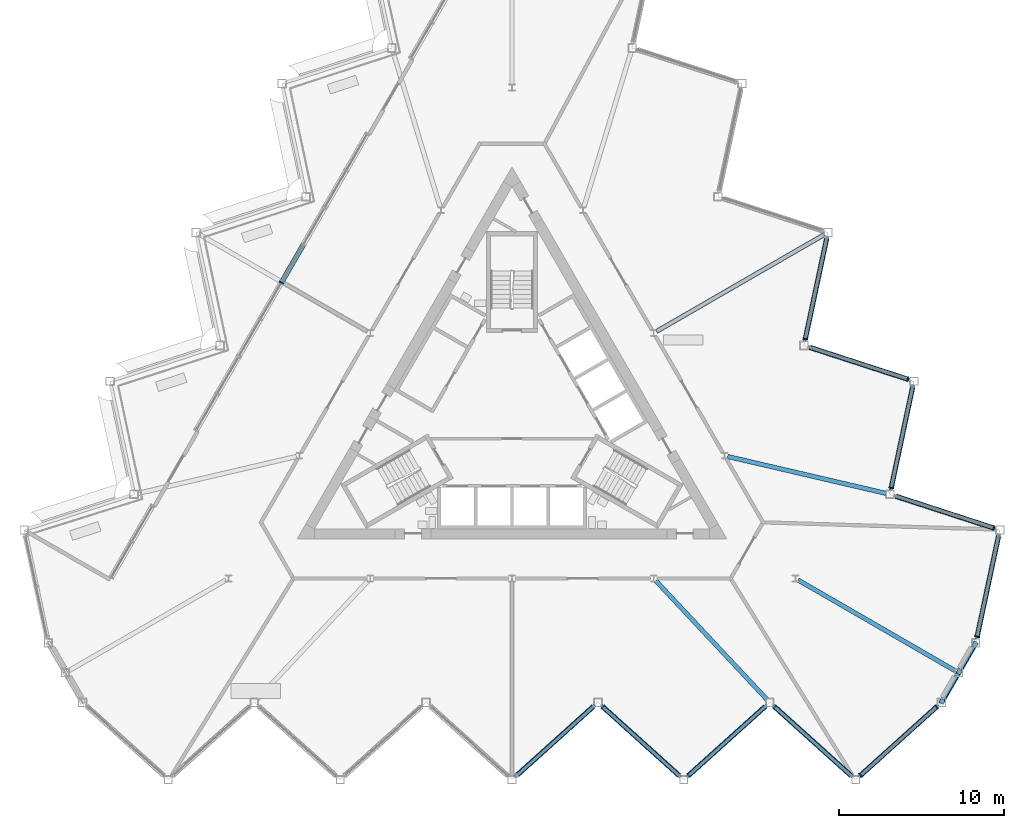
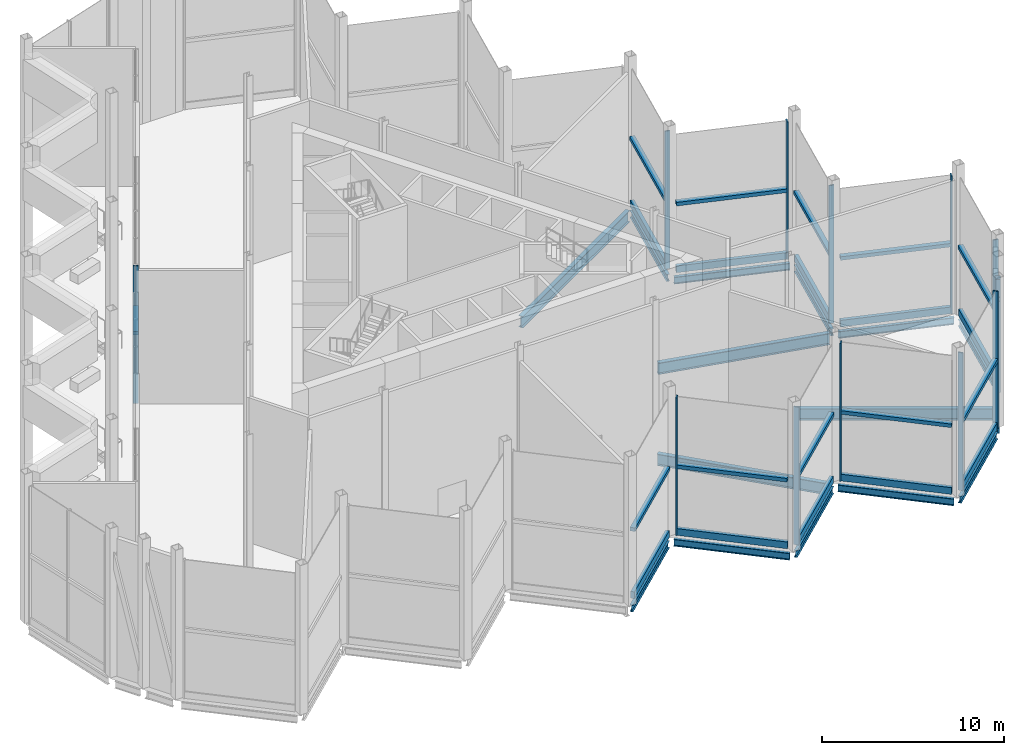
# One storey, part 5 of 18: 34 members, 16 beams, 4 elements without a shape of their own.
"""IFC4 building model written with IfcOpenShell, lengths in metres."""

from ifc_helpers import new_model, si_unit, direction, frame, origin, origin_2d, place, context, subcontext, project, spatial, rectangle, hollow_rectangle, i_section, extrude, material, layer, layer_set, material_profile, profile_set, type_object, element, aggregate, save


model = new_model("IFC4")

# Units and contexts
model_context = context("Model", 3, precision=1e-05, world=origin(), true_north=direction((0.0, 1.0)))
body_context = subcontext(model_context, "Body", "Model", "MODEL_VIEW")
ifc_project = project(units=[si_unit("LENGTHUNIT", "METRE"), si_unit("AREAUNIT", "SQUARE_METRE"), si_unit("VOLUMEUNIT", "CUBIC_METRE"), si_unit("PLANEANGLEUNIT", "RADIAN"), si_unit("MASSUNIT", "GRAM", prefix="KILO")], contexts=[model_context])

# Site, building, storey
site_placement = place(None, origin())
site = spatial("IfcSite", under=ifc_project, at=site_placement, CompositionType="ELEMENT")
building_placement = place(site_placement, origin())
building = spatial("IfcBuilding", under=site, at=building_placement, Name="Cormorant Prow Tower", CompositionType="ELEMENT")
storey_placement = place(building_placement, frame((0.0, 0.0, 405.199951171875)))
storey = spatial("IfcBuildingStorey", under=building, at=storey_placement, Name="L93", CompositionType="ELEMENT", Elevation=405.199951171875)

# Members
ifc_material_1 = material(Name="Structural steel ASTM A500 Gr C", Category="steel")
ifc_material_profile_1 = material_profile(ifc_material_1, hollow_rectangle(XDim=0.3046875, YDim=0.3046875, WallThickness=0.01171875, at=origin_2d()), Name="HSS12x12x1/2")
ifc_profile_set_1 = profile_set([ifc_material_profile_1], Name="Structural steel ASTM A500 Gr C")
member_type_1 = type_object("IfcMemberType", Name="Chamfer brace HSS12x12x1/2", PredefinedType="BRACE", material=ifc_profile_set_1)
for number, where, z_axis, x_axis, name in (
    (1, (26.99951171875, -15.6748046875, 0.890625), (-0.124969946675, -0.21644541018, 0.968263340647), (0.866016514357, -0.500015396624, 0.0), "Chamfer brace BR3 at ESE00 L93"),
    (2, (28.036376953125, -13.878662109375, 0.890625), (-0.124969088668, -0.216475642173, 0.968256692837), (0.866048237946, -0.499960447986, 0.0), "Chamfer brace BR3 at ESE01 L93"),
):
    element("IfcMember", number, at=place(storey_placement, frame(where, z_axis=z_axis, x_axis=x_axis)), inside=storey, type_object=member_type_1, Name=name, PredefinedType="BRACE", context=body_context, shape_type="SweptSolid", body=[
        extrude(hollow_rectangle(XDim=0.3046875, YDim=0.3046875, WallThickness=0.01171875, at=origin_2d()), origin(), (0.0, 0.0, 1.0), 7.697265625),
    ])

# Beams
ifc_material_2 = material(Name="Structural steel ASTM A992 Gr 50", Category="steel")
ifc_material_profile_2 = material_profile(ifc_material_2, i_section(OverallWidth=0.267822265625, OverallDepth=0.77001953125, WebThickness=0.015625, FlangeThickness=0.025390625, at=origin_2d()), Name="W30x132")
ifc_profile_set_2 = profile_set([ifc_material_profile_2], Name="Structural steel ASTM A992 Gr 50")
beam_type_1 = type_object("IfcBeamType", Name="Radial floor beam W30x132", PredefinedType="BEAM", material=ifc_profile_set_2)
beam_1_placement = place(storey_placement, frame((8.706298828125, -10.0419921875, -0.684814453125), z_axis=(0.683430760659, -0.730015339144, 0.0), x_axis=(0.730015339144, 0.683430760659, 0.0)))
element("IfcBeam", 3, at=beam_1_placement, inside=storey, type_object=beam_type_1, Name="Radial floor beam FB3 8 L93", PredefinedType="BEAM", context=body_context, shape_type="SweptSolid", body=[
    extrude(i_section(OverallWidth=0.267822265625, OverallDepth=0.77001953125, WebThickness=0.015625, FlangeThickness=0.025390625, at=origin_2d()), origin(), (0.0, 0.0, 1.0), 9.8369140625),
])
beam_2_placement = place(storey_placement, frame((17.31884765625, -9.9990234375, -0.684814453125), z_axis=(0.866018830095, -0.500011385791, 0.0), x_axis=(0.500011385791, 0.866018830095, 0.0)))
element("IfcBeam", 4, at=beam_2_placement, inside=storey, type_object=beam_type_1, Name="Radial floor beam FB3 9 L93", PredefinedType="BEAM", context=body_context, shape_type="SweptSolid", body=[
    extrude(i_section(OverallWidth=0.267822265625, OverallDepth=0.77001953125, WebThickness=0.015625, FlangeThickness=0.025390625, at=origin_2d()), origin(), (0.0, 0.0, 1.0), 10.971435546875),
])
beam_3_placement = place(storey_placement, frame((13.0498046875, -2.518798828125, -0.684814453125), z_axis=(0.973926084128, -0.226865560752, 0.0), x_axis=(0.226865560752, 0.973926084128, 0.0)))
element("IfcBeam", 5, at=beam_3_placement, inside=storey, type_object=beam_type_1, Name="Radial floor beam FB3 10 L93", PredefinedType="BEAM", context=body_context, shape_type="SweptSolid", body=[
    extrude(i_section(OverallWidth=0.267822265625, OverallDepth=0.77001953125, WebThickness=0.015625, FlangeThickness=0.025390625, at=origin_2d()), origin(), (0.0, 0.0, 1.0), 9.837158203125),
])
beam_4_placement = place(storey_placement, frame((8.740478515625, 5.04638671875, -0.684814453125), z_axis=(0.866026702285, 0.499997750924, 0.0), x_axis=(-0.499997750924, 0.866026702285, 0.0)))
element("IfcBeam", 6, at=beam_4_placement, inside=storey, type_object=beam_type_1, Name="Radial floor beam FB3 11 L93", PredefinedType="BEAM", context=body_context, shape_type="SweptSolid", body=[
    extrude(i_section(OverallWidth=0.267822265625, OverallDepth=0.77001953125, WebThickness=0.015625, FlangeThickness=0.025390625, at=origin_2d()), origin(), (0.0, 0.0, 1.0), 11.7451171875),
])

# Curtain wall, members
ifc_material_3 = material(Name="Aluminium 6063-T6", Category="aluminium")
ifc_layer = layer(ifc_material_3, 0.300048828125)
ifc_layer_set = layer_set([ifc_layer], Name="Aluminium 6063-T6")
curtain_wall_type = type_object("IfcCurtainWallType", Name="Sky lobby unitised curtain wall 300", PredefinedType="NOTDEFINED", material=ifc_layer_set)
curtain_wall_1_placement = place(storey_placement, origin())
curtain_wall_1 = element("IfcCurtainWall", 7, at=curtain_wall_1_placement, inside=storey, type_object=curtain_wall_type, Name="Sky lobby curtain wall S00-S09", PredefinedType="NOTDEFINED")
ifc_material_4 = material(Name="Aluminium 6063-T6", Category="aluminium")
ifc_material_profile_3 = material_profile(ifc_material_4, rectangle(XDim=0.300048828125, YDim=0.239990234375, at=origin_2d()), Name="Sky lobby intermediate transom 300x240")
ifc_profile_set_3 = profile_set([ifc_material_profile_3], Name="Aluminium 6063-T6")
member_type_2 = type_object("IfcMemberType", Name="Sky lobby intermediate transom 300x240", PredefinedType="USERDEFINED", material=ifc_profile_set_3)
member_1_placement = place(storey_placement, frame((0.33154296875, -21.789306640625, 4.616943359375), z_axis=(0.743142998934, 0.669132634935, 0.0), x_axis=(-0.669132634935, 0.743142998934, 0.0)))
member_1 = element("IfcMember", 8, at=member_1_placement, type_object=member_type_2, Name="Sky lobby intermediate transom S00-S09", ObjectType="TRANSOM", PredefinedType="USERDEFINED", context=body_context, shape_type="SweptSolid", body=[
    extrude(rectangle(XDim=0.300048828125, YDim=0.239990234375, at=origin_2d()), origin(), (0.0, 0.0, 1.0), 6.18505859375),
])
member_2_placement = place(storey_placement, frame((5.531494140625, -17.7041015625, 4.616943359375), z_axis=(0.743123371141, -0.669154433046, 0.0), x_axis=(0.669154433046, 0.743123371141, 0.0)))
member_2 = element("IfcMember", 9, at=member_2_placement, type_object=member_type_2, Name="Sky lobby intermediate transom S00-S09", ObjectType="TRANSOM", PredefinedType="USERDEFINED", context=body_context, shape_type="SweptSolid", body=[
    extrude(rectangle(XDim=0.300048828125, YDim=0.239990234375, at=origin_2d()), origin(), (0.0, 0.0, 1.0), 6.185302734375),
])
member_3_placement = place(storey_placement, frame((10.7314453125, -21.789306640625, 4.616943359375), z_axis=(0.743160671377, 0.669113007286, 0.0), x_axis=(-0.669113007286, 0.743160671377, 0.0)))
member_3 = element("IfcMember", 10, at=member_3_placement, type_object=member_type_2, Name="Sky lobby intermediate transom S00-S09", ObjectType="TRANSOM", PredefinedType="USERDEFINED", context=body_context, shape_type="SweptSolid", body=[
    extrude(rectangle(XDim=0.300048828125, YDim=0.239990234375, at=origin_2d()), origin(), (0.0, 0.0, 1.0), 6.185302734375),
])
member_4_placement = place(storey_placement, frame((15.931396484375, -17.7041015625, 4.616943359375), z_axis=(0.743141044268, -0.669134805793, 0.0), x_axis=(0.669134805793, 0.743141044268, 0.0)))
member_4 = element("IfcMember", 11, at=member_4_placement, type_object=member_type_2, Name="Sky lobby intermediate transom S00-S09", ObjectType="TRANSOM", PredefinedType="USERDEFINED", context=body_context, shape_type="SweptSolid", body=[
    extrude(rectangle(XDim=0.300048828125, YDim=0.239990234375, at=origin_2d()), origin(), (0.0, 0.0, 1.0), 6.185546875),
])
member_5_placement = place(storey_placement, frame((21.13134765625, -21.789306640625, 4.616943359375), z_axis=(0.743146988122, 0.66912820449, 0.0), x_axis=(-0.66912820449, 0.743146988122, 0.0)))
member_5 = element("IfcMember", 12, at=member_5_placement, type_object=member_type_2, Name="Sky lobby intermediate transom S00-S09", ObjectType="TRANSOM", PredefinedType="USERDEFINED", context=body_context, shape_type="SweptSolid", body=[
    extrude(rectangle(XDim=0.300048828125, YDim=0.239990234375, at=origin_2d()), origin(), (0.0, 0.0, 1.0), 6.105224609375),
])

curtain_wall_2_placement = place(storey_placement, origin())
curtain_wall_2 = element("IfcCurtainWall", 13, at=curtain_wall_2_placement, inside=storey, type_object=curtain_wall_type, Name="Sky lobby curtain wall ENE00-ENE09", PredefinedType="NOTDEFINED")
member_6_placement = place(storey_placement, frame((28.16650390625, -13.37744140625, 4.616943359375), z_axis=(0.207935703595, 0.978142496352, 0.0), x_axis=(-0.978142496352, 0.207935703595, 0.0)))
member_6 = element("IfcMember", 14, at=member_6_placement, type_object=member_type_2, Name="Sky lobby intermediate transom ENE00-ENE09", ObjectType="TRANSOM", PredefinedType="USERDEFINED", context=body_context, shape_type="SweptSolid", body=[
    extrude(rectangle(XDim=0.300048828125, YDim=0.239990234375, at=origin_2d()), origin(), (0.0, 0.0, 1.0), 6.185302734375),
])
member_7_placement = place(storey_placement, frame((29.1044921875, -6.83154296875, 4.616943359375), z_axis=(-0.951055821214, 0.309019133608, 0.0), x_axis=(-0.309019133608, -0.951055821214, 0.0)))
member_7 = element("IfcMember", 15, at=member_7_placement, type_object=member_type_2, Name="Sky lobby intermediate transom ENE00-ENE09", ObjectType="TRANSOM", PredefinedType="USERDEFINED", context=body_context, shape_type="SweptSolid", body=[
    extrude(rectangle(XDim=0.300048828125, YDim=0.239990234375, at=origin_2d()), origin(), (0.0, 0.0, 1.0), 6.185302734375),
])
member_8_placement = place(storey_placement, frame((22.966552734375, -4.370849609375, 4.616943359375), z_axis=(0.207897938298, 0.978150523821, 0.0), x_axis=(-0.978150523821, 0.207897938298, 0.0)))
member_8 = element("IfcMember", 16, at=member_8_placement, type_object=member_type_2, Name="Sky lobby intermediate transom ENE00-ENE09", ObjectType="TRANSOM", PredefinedType="USERDEFINED", context=body_context, shape_type="SweptSolid", body=[
    extrude(rectangle(XDim=0.300048828125, YDim=0.239990234375, at=origin_2d()), origin(), (0.0, 0.0, 1.0), 6.185302734375),
])
member_9_placement = place(storey_placement, frame((23.904541015625, 2.175048828125, 4.616943359375), z_axis=(-0.951055821214, 0.309019133608, 0.0), x_axis=(-0.309019133608, -0.951055821214, 0.0)))
member_9 = element("IfcMember", 17, at=member_9_placement, type_object=member_type_2, Name="Sky lobby intermediate transom ENE00-ENE09", ObjectType="TRANSOM", PredefinedType="USERDEFINED", context=body_context, shape_type="SweptSolid", body=[
    extrude(rectangle(XDim=0.300048828125, YDim=0.239990234375, at=origin_2d()), origin(), (0.0, 0.0, 1.0), 6.185302734375),
])
member_10_placement = place(storey_placement, frame((17.7666015625, 4.6357421875, 4.616943359375), z_axis=(0.207897938298, 0.978150523821, 0.0), x_axis=(-0.978150523821, 0.207897938298, 0.0)))
member_10 = element("IfcMember", 18, at=member_10_placement, type_object=member_type_2, Name="Sky lobby intermediate transom ENE00-ENE09", ObjectType="TRANSOM", PredefinedType="USERDEFINED", context=body_context, shape_type="SweptSolid", body=[
    extrude(rectangle(XDim=0.300048828125, YDim=0.239990234375, at=origin_2d()), origin(), (0.0, 0.0, 1.0), 6.185302734375),
])

# Curtain wall, member
curtain_wall_3_placement = place(storey_placement, origin())
curtain_wall_3 = element("IfcCurtainWall", 19, at=curtain_wall_3_placement, inside=storey, type_object=curtain_wall_type, Name="Sky lobby curtain wall loggia WNW04", PredefinedType="NOTDEFINED")
member_11_placement = place(storey_placement, frame((-12.652587890625, 10.260986328125, 4.616943359375), z_axis=(-0.50000366821, -0.866023285932, 0.0), x_axis=(0.866023285932, -0.50000366821, 0.0)))
member_11 = element("IfcMember", 20, at=member_11_placement, type_object=member_type_2, Name="Sky lobby intermediate transom loggia WNW04", ObjectType="TRANSOM", PredefinedType="USERDEFINED", context=body_context, shape_type="SweptSolid", body=[
    extrude(rectangle(XDim=0.300048828125, YDim=0.239990234375, at=origin_2d()), origin(), (0.0, 0.0, 1.0), 2.47998046875),
])
aggregate(curtain_wall_3, [member_11])

# Member
ifc_material_5 = material(Name="Aluminium 6063-T6", Category="aluminium")
ifc_material_profile_4 = material_profile(ifc_material_5, rectangle(XDim=0.300048828125, YDim=0.080078125, at=origin_2d()), Name="Sky lobby mullion 80x300")
ifc_profile_set_4 = profile_set([ifc_material_profile_4], Name="Aluminium 6063-T6")
member_type_3 = type_object("IfcMemberType", Name="Sky lobby mullion 80x300", PredefinedType="MULLION", material=ifc_profile_set_4)
member_12_placement = place(storey_placement, frame((5.501708984375, -17.677490234375, 0.0), z_axis=(0.0, 0.0, 1.0), x_axis=(0.669130603959, 0.743144827638, 0.0)))
member_12 = element("IfcMember", 21, at=member_12_placement, type_object=member_type_3, Name="Sky lobby mullion S00-S09", PredefinedType="MULLION", context=body_context, shape_type="SweptSolid", body=[
    extrude(rectangle(XDim=0.300048828125, YDim=0.080078125, at=origin_2d()), origin(), (0.0, 0.0, 1.0), 9.23388671875),
])

member_13_placement = place(storey_placement, frame((10.70166015625, -21.816162109375, 0.0), z_axis=(0.0, 0.0, 1.0), x_axis=(-0.669130603959, 0.743144827638, 0.0)))
member_13 = element("IfcMember", 22, at=member_13_placement, type_object=member_type_3, Name="Sky lobby mullion S00-S09", PredefinedType="MULLION", context=body_context, shape_type="SweptSolid", body=[
    extrude(rectangle(XDim=0.300048828125, YDim=0.080078125, at=origin_2d()), origin(), (0.0, 0.0, 1.0), 9.23388671875),
])

member_14_placement = place(storey_placement, frame((15.901611328125, -17.677490234375, 0.0), z_axis=(0.0, 0.0, 1.0), x_axis=(0.669130603959, 0.743144827638, 0.0)))
member_14 = element("IfcMember", 23, at=member_14_placement, type_object=member_type_3, Name="Sky lobby mullion S00-S09", PredefinedType="MULLION", context=body_context, shape_type="SweptSolid", body=[
    extrude(rectangle(XDim=0.300048828125, YDim=0.080078125, at=origin_2d()), origin(), (0.0, 0.0, 1.0), 9.23388671875),
])

member_15_placement = place(storey_placement, frame((21.101806640625, -21.816162109375, 0.0), z_axis=(0.0, 0.0, 1.0), x_axis=(-0.669130603959, 0.743144827638, 0.0)))
member_15 = element("IfcMember", 24, at=member_15_placement, type_object=member_type_3, Name="Sky lobby mullion S00-S09", PredefinedType="MULLION", context=body_context, shape_type="SweptSolid", body=[
    extrude(rectangle(XDim=0.300048828125, YDim=0.080078125, at=origin_2d()), origin(), (0.0, 0.0, 1.0), 9.23388671875),
])

member_16_placement = place(storey_placement, frame((25.6982421875, -17.677490234375, 0.0), z_axis=(0.0, 0.0, 1.0), x_axis=(-0.669130603959, 0.743144827638, 0.0)))
member_16 = element("IfcMember", 25, at=member_16_placement, type_object=member_type_3, Name="Sky lobby mullion S00-S09", PredefinedType="MULLION", context=body_context, shape_type="SweptSolid", body=[
    extrude(rectangle(XDim=0.300048828125, YDim=0.080078125, at=origin_2d()), origin(), (0.0, 0.0, 1.0), 9.23388671875),
])

member_17_placement = place(storey_placement, frame((28.158203125, -13.416748046875, 0.0), z_axis=(0.0, 0.0, 1.0), x_axis=(-0.978147615768, 0.207911620089, 0.0)))
member_17 = element("IfcMember", 26, at=member_17_placement, type_object=member_type_3, Name="Sky lobby mullion ENE00-ENE09", PredefinedType="MULLION", context=body_context, shape_type="SweptSolid", body=[
    extrude(rectangle(XDim=0.300048828125, YDim=0.080078125, at=origin_2d()), origin(), (0.0, 0.0, 1.0), 9.23388671875),
])

member_18_placement = place(storey_placement, frame((29.142578125, -6.843994140625, 0.0), z_axis=(0.0, 0.0, 1.0), x_axis=(-0.309016937108, -0.951056534902, 0.0)))
member_18 = element("IfcMember", 27, at=member_18_placement, type_object=member_type_3, Name="Sky lobby mullion ENE00-ENE09", PredefinedType="MULLION", context=body_context, shape_type="SweptSolid", body=[
    extrude(rectangle(XDim=0.300048828125, YDim=0.080078125, at=origin_2d()), origin(), (0.0, 0.0, 1.0), 9.23388671875),
])

member_19_placement = place(storey_placement, frame((22.958251953125, -4.409912109375, 0.0), z_axis=(0.0, 0.0, 1.0), x_axis=(-0.978147615768, 0.207911620089, 0.0)))
member_19 = element("IfcMember", 28, at=member_19_placement, type_object=member_type_3, Name="Sky lobby mullion ENE00-ENE09", PredefinedType="MULLION", context=body_context, shape_type="SweptSolid", body=[
    extrude(rectangle(XDim=0.300048828125, YDim=0.080078125, at=origin_2d()), origin(), (0.0, 0.0, 1.0), 9.23388671875),
])

member_20_placement = place(storey_placement, frame((23.9423828125, 2.16259765625, 0.0), z_axis=(0.0, 0.0, 1.0), x_axis=(-0.309017066365, -0.951056492904, 0.0)))
member_20 = element("IfcMember", 29, at=member_20_placement, type_object=member_type_3, Name="Sky lobby mullion ENE00-ENE09", PredefinedType="MULLION", context=body_context, shape_type="SweptSolid", body=[
    extrude(rectangle(XDim=0.300048828125, YDim=0.080078125, at=origin_2d()), origin(), (0.0, 0.0, 1.0), 9.23388671875),
])

member_21_placement = place(storey_placement, frame((17.75830078125, 4.5966796875, 0.0), z_axis=(0.0, 0.0, 1.0), x_axis=(-0.978147609588, 0.207911649162, 0.0)))
member_21 = element("IfcMember", 30, at=member_21_placement, type_object=member_type_3, Name="Sky lobby mullion ENE00-ENE09", PredefinedType="MULLION", context=body_context, shape_type="SweptSolid", body=[
    extrude(rectangle(XDim=0.300048828125, YDim=0.080078125, at=origin_2d()), origin(), (0.0, 0.0, 1.0), 9.23388671875),
])

# Curtain wall, member
curtain_wall_4_placement = place(storey_placement, origin())
curtain_wall_4 = element("IfcCurtainWall", 31, at=curtain_wall_4_placement, inside=storey, type_object=curtain_wall_type, Name="Sky lobby curtain wall loggia WNW05", PredefinedType="NOTDEFINED")
member_22_placement = place(storey_placement, frame((-13.952392578125, 8.00927734375, 0.0), z_axis=(0.0, 0.0, 1.0), x_axis=(0.86602540861, -0.499999991641, 0.0)))
member_22 = element("IfcMember", 32, at=member_22_placement, type_object=member_type_3, Name="Sky lobby mullion loggia WNW05", PredefinedType="MULLION", context=body_context, shape_type="SweptSolid", body=[
    extrude(rectangle(XDim=0.300048828125, YDim=0.080078125, at=origin_2d()), origin(), (0.0, 0.0, 1.0), 9.23388671875),
])
aggregate(curtain_wall_4, [member_22])

# Member
ifc_material_6 = material(Name="Terracotta", Category="masonry")
ifc_material_profile_5 = material_profile(ifc_material_6, rectangle(XDim=0.219970703125, YDim=0.449951171875, at=origin_2d()), Name="Sky lobby terracotta spandrel rail 220x450")
ifc_profile_set_5 = profile_set([ifc_material_profile_5], Name="Terracotta")
member_type_4 = type_object("IfcMemberType", Name="Sky lobby terracotta spandrel rail 220x450", PredefinedType="USERDEFINED", material=ifc_profile_set_5)
member_23_placement = place(storey_placement, frame((0.33154296875, -21.789306640625, 0.22509765625), z_axis=(0.743142998934, 0.669132634935, 0.0), x_axis=(-0.669132634935, 0.743142998934, 0.0)))
member_23 = element("IfcMember", 33, at=member_23_placement, type_object=member_type_4, Name="Sky lobby spandrel rail S00-S09", ObjectType="TRANSOM", PredefinedType="USERDEFINED", context=body_context, shape_type="SweptSolid", body=[
    extrude(rectangle(XDim=0.219970703125, YDim=0.449951171875, at=origin_2d()), origin(), (0.0, 0.0, 1.0), 6.18505859375),
])

member_24_placement = place(storey_placement, frame((5.531494140625, -17.7041015625, 0.22509765625), z_axis=(0.743123371141, -0.669154433046, 0.0), x_axis=(0.669154433046, 0.743123371141, 0.0)))
member_24 = element("IfcMember", 34, at=member_24_placement, type_object=member_type_4, Name="Sky lobby spandrel rail S00-S09", ObjectType="TRANSOM", PredefinedType="USERDEFINED", context=body_context, shape_type="SweptSolid", body=[
    extrude(rectangle(XDim=0.219970703125, YDim=0.449951171875, at=origin_2d()), origin(), (0.0, 0.0, 1.0), 6.185302734375),
])

member_25_placement = place(storey_placement, frame((10.7314453125, -21.789306640625, 0.22509765625), z_axis=(0.743160671377, 0.669113007286, 0.0), x_axis=(-0.669113007286, 0.743160671377, 0.0)))
member_25 = element("IfcMember", 35, at=member_25_placement, type_object=member_type_4, Name="Sky lobby spandrel rail S00-S09", ObjectType="TRANSOM", PredefinedType="USERDEFINED", context=body_context, shape_type="SweptSolid", body=[
    extrude(rectangle(XDim=0.219970703125, YDim=0.449951171875, at=origin_2d()), origin(), (0.0, 0.0, 1.0), 6.185302734375),
])

member_26_placement = place(storey_placement, frame((15.931396484375, -17.7041015625, 0.22509765625), z_axis=(0.743141044268, -0.669134805793, 0.0), x_axis=(0.669134805793, 0.743141044268, 0.0)))
member_26 = element("IfcMember", 36, at=member_26_placement, type_object=member_type_4, Name="Sky lobby spandrel rail S00-S09", ObjectType="TRANSOM", PredefinedType="USERDEFINED", context=body_context, shape_type="SweptSolid", body=[
    extrude(rectangle(XDim=0.219970703125, YDim=0.449951171875, at=origin_2d()), origin(), (0.0, 0.0, 1.0), 6.185546875),
])

member_27_placement = place(storey_placement, frame((21.13134765625, -21.789306640625, 0.22509765625), z_axis=(0.743146988122, 0.66912820449, 0.0), x_axis=(-0.66912820449, 0.743146988122, 0.0)))
member_27 = element("IfcMember", 37, at=member_27_placement, type_object=member_type_4, Name="Sky lobby spandrel rail S00-S09", ObjectType="TRANSOM", PredefinedType="USERDEFINED", context=body_context, shape_type="SweptSolid", body=[
    extrude(rectangle(XDim=0.219970703125, YDim=0.449951171875, at=origin_2d()), origin(), (0.0, 0.0, 1.0), 6.105224609375),
])

aggregate(curtain_wall_1, [member_23, member_1, member_12, member_24, member_2, member_13, member_25, member_3, member_14, member_26, member_4, member_15, member_16, member_27, member_5])

member_28_placement = place(storey_placement, frame((28.16650390625, -13.37744140625, 0.22509765625), z_axis=(0.207935703595, 0.978142496352, 0.0), x_axis=(-0.978142496352, 0.207935703595, 0.0)))
member_28 = element("IfcMember", 38, at=member_28_placement, type_object=member_type_4, Name="Sky lobby spandrel rail ENE00-ENE09", ObjectType="TRANSOM", PredefinedType="USERDEFINED", context=body_context, shape_type="SweptSolid", body=[
    extrude(rectangle(XDim=0.219970703125, YDim=0.449951171875, at=origin_2d()), origin(), (0.0, 0.0, 1.0), 6.185302734375),
])

member_29_placement = place(storey_placement, frame((29.1044921875, -6.83154296875, 0.22509765625), z_axis=(-0.951055821214, 0.309019133608, 0.0), x_axis=(-0.309019133608, -0.951055821214, 0.0)))
member_29 = element("IfcMember", 39, at=member_29_placement, type_object=member_type_4, Name="Sky lobby spandrel rail ENE00-ENE09", ObjectType="TRANSOM", PredefinedType="USERDEFINED", context=body_context, shape_type="SweptSolid", body=[
    extrude(rectangle(XDim=0.219970703125, YDim=0.449951171875, at=origin_2d()), origin(), (0.0, 0.0, 1.0), 6.185302734375),
])

member_30_placement = place(storey_placement, frame((22.966552734375, -4.370849609375, 0.22509765625), z_axis=(0.207897938298, 0.978150523821, 0.0), x_axis=(-0.978150523821, 0.207897938298, 0.0)))
member_30 = element("IfcMember", 40, at=member_30_placement, type_object=member_type_4, Name="Sky lobby spandrel rail ENE00-ENE09", ObjectType="TRANSOM", PredefinedType="USERDEFINED", context=body_context, shape_type="SweptSolid", body=[
    extrude(rectangle(XDim=0.219970703125, YDim=0.449951171875, at=origin_2d()), origin(), (0.0, 0.0, 1.0), 6.185302734375),
])

member_31_placement = place(storey_placement, frame((23.904541015625, 2.175048828125, 0.22509765625), z_axis=(-0.951055821214, 0.309019133608, 0.0), x_axis=(-0.309019133608, -0.951055821214, 0.0)))
member_31 = element("IfcMember", 41, at=member_31_placement, type_object=member_type_4, Name="Sky lobby spandrel rail ENE00-ENE09", ObjectType="TRANSOM", PredefinedType="USERDEFINED", context=body_context, shape_type="SweptSolid", body=[
    extrude(rectangle(XDim=0.219970703125, YDim=0.449951171875, at=origin_2d()), origin(), (0.0, 0.0, 1.0), 6.185302734375),
])

member_32_placement = place(storey_placement, frame((17.7666015625, 4.6357421875, 0.22509765625), z_axis=(0.207897938298, 0.978150523821, 0.0), x_axis=(-0.978150523821, 0.207897938298, 0.0)))
member_32 = element("IfcMember", 42, at=member_32_placement, type_object=member_type_4, Name="Sky lobby spandrel rail ENE00-ENE09", ObjectType="TRANSOM", PredefinedType="USERDEFINED", context=body_context, shape_type="SweptSolid", body=[
    extrude(rectangle(XDim=0.219970703125, YDim=0.449951171875, at=origin_2d()), origin(), (0.0, 0.0, 1.0), 6.185302734375),
])

aggregate(curtain_wall_2, [member_17, member_28, member_6, member_18, member_29, member_7, member_19, member_30, member_8, member_20, member_31, member_9, member_21, member_32, member_10])

# Beams
ifc_material_7 = material(Name="Structural steel ASTM A992 Gr 50", Category="steel")
ifc_material_profile_6 = material_profile(ifc_material_7, i_section(OverallWidth=0.19287109375, OverallDepth=0.466064453125, WebThickness=0.011474609375, FlangeThickness=0.01904296875, at=origin_2d()), Name="W18x65")
ifc_profile_set_6 = profile_set([ifc_material_profile_6], Name="Structural steel ASTM A992 Gr 50")
beam_type_2 = type_object("IfcBeamType", Name="Spandrel beam W18x65", PredefinedType="SPANDREL", material=ifc_profile_set_6)
for number, where, z_axis, x_axis, name in (
    (43, (0.185791015625, -21.920654296875, -0.532958984375), (0.743131573737, 0.669145323614, 0.0), (-0.669145323614, 0.743131573737, 0.0), "Spandrel beam SB4 S05-S06 L93"),
    (44, (5.3857421875, -17.572998046875, -0.532958984375), (0.743131573737, -0.669145323614, 0.0), (0.669145323614, 0.743131573737, 0.0), "Spandrel beam SB4 S06-S07 L93"),
):
    element("IfcBeam", number, at=place(storey_placement, frame(where, z_axis=z_axis, x_axis=x_axis)), inside=storey, type_object=beam_type_2, Name=name, PredefinedType="SPANDREL", context=body_context, shape_type="SweptSolid", body=[
        extrude(i_section(OverallWidth=0.19287109375, OverallDepth=0.466064453125, WebThickness=0.011474609375, FlangeThickness=0.01904296875, at=origin_2d()), origin(), (0.0, 0.0, 1.0), 6.497314453125),
    ])
beam_5_placement = place(storey_placement, frame((10.585693359375, -21.920654296875, -0.532958984375), z_axis=(0.743148397689, 0.669126638995, 0.0), x_axis=(-0.669126638995, 0.743148397689, 0.0)))
element("IfcBeam", 45, at=beam_5_placement, inside=storey, type_object=beam_type_2, Name="Spandrel beam SB4 S07-S08 L93", PredefinedType="SPANDREL", context=body_context, shape_type="SweptSolid", body=[
    extrude(i_section(OverallWidth=0.19287109375, OverallDepth=0.466064453125, WebThickness=0.011474609375, FlangeThickness=0.01904296875, at=origin_2d()), origin(), (0.0, 0.0, 1.0), 6.49755859375),
])
for number, where, z_axis, x_axis, name in (
    (46, (15.785888671875, -17.572998046875, -0.532958984375), (0.743131573737, -0.669145323614, 0.0), (0.669145323614, 0.743131573737, 0.0), "Spandrel beam SB4 S08-S09 L93"),
    (47, (20.98583984375, -21.920654296875, -0.532958984375), (0.743131573737, 0.669145323614, 0.0), (-0.669145323614, 0.743131573737, 0.0), "Spandrel beam SB4 S09-ESE00 L93"),
):
    element("IfcBeam", number, at=place(storey_placement, frame(where, z_axis=z_axis, x_axis=x_axis)), inside=storey, type_object=beam_type_2, Name=name, PredefinedType="SPANDREL", context=body_context, shape_type="SweptSolid", body=[
        extrude(i_section(OverallWidth=0.19287109375, OverallDepth=0.466064453125, WebThickness=0.011474609375, FlangeThickness=0.01904296875, at=origin_2d()), origin(), (0.0, 0.0, 1.0), 6.497314453125),
    ])
for number, where, z_axis, x_axis, name in (
    (48, (26.125, -17.189208984375, -0.532958984375), (0.499959680857, 0.866048680801, 0.0), (-0.866048680801, 0.499959680857, 0.0), "Spandrel beam SB4 ESE00-ESE01 L93"),
    (49, (27.161865234375, -15.393310546875, -0.532958984375), (0.499959680857, 0.866048680801, 0.0), (-0.866048680801, 0.499959680857, 0.0), "Spandrel beam SB4 ESE01-ENE00 L93"),
):
    element("IfcBeam", number, at=place(storey_placement, frame(where, z_axis=z_axis, x_axis=x_axis)), inside=storey, type_object=beam_type_2, Name=name, PredefinedType="SPANDREL", context=body_context, shape_type="SweptSolid", body=[
        extrude(i_section(OverallWidth=0.19287109375, OverallDepth=0.466064453125, WebThickness=0.011474609375, FlangeThickness=0.01904296875, at=origin_2d()), origin(), (0.0, 0.0, 1.0), 1.573974609375),
    ])
beam_6_placement = place(storey_placement, frame((28.125732421875, -13.5693359375, -0.532958984375), z_axis=(0.207901897373, 0.978149682344, 0.0), x_axis=(-0.978149682344, 0.207901897373, 0.0)))
element("IfcBeam", 50, at=beam_6_placement, inside=storey, type_object=beam_type_2, Name="Spandrel beam SB4 ENE00-ENE01 L93", PredefinedType="SPANDREL", context=body_context, shape_type="SweptSolid", body=[
    extrude(i_section(OverallWidth=0.19287109375, OverallDepth=0.466064453125, WebThickness=0.011474609375, FlangeThickness=0.01904296875, at=origin_2d()), origin(), (0.0, 0.0, 1.0), 6.49755859375),
])
for number, where, z_axis, x_axis, name in (
    (51, (29.290771484375, -6.89208984375, -0.532958984375), (-0.951053396625, 0.309026595569, 0.0), (-0.309026595569, -0.951053396625, 0.0), "Spandrel beam SB4 ENE01-ENE02 L93"),
    (52, (22.92578125, -4.5625, -0.532958984375), (0.207909538847, 0.978148058147, 0.0), (-0.978148058147, 0.207909538847, 0.0), "Spandrel beam SB4 ENE02-ENE03 L93"),
    (53, (24.0908203125, 2.114501953125, -0.532958984375), (-0.951053396625, 0.309026595569, 0.0), (-0.309026595569, -0.951053396625, 0.0), "Spandrel beam SB4 ENE03-ENE04 L93"),
    (54, (17.725830078125, 4.444091796875, -0.532958984375), (0.207909538847, 0.978148058147, 0.0), (-0.978148058147, 0.207909538847, 0.0), "Spandrel beam SB4 ENE04-ENE05 L93"),
):
    element("IfcBeam", number, at=place(storey_placement, frame(where, z_axis=z_axis, x_axis=x_axis)), inside=storey, type_object=beam_type_2, Name=name, PredefinedType="SPANDREL", context=body_context, shape_type="SweptSolid", body=[
        extrude(i_section(OverallWidth=0.19287109375, OverallDepth=0.466064453125, WebThickness=0.011474609375, FlangeThickness=0.01904296875, at=origin_2d()), origin(), (0.0, 0.0, 1.0), 6.497314453125),
    ])

save(model, "model.ifc")
